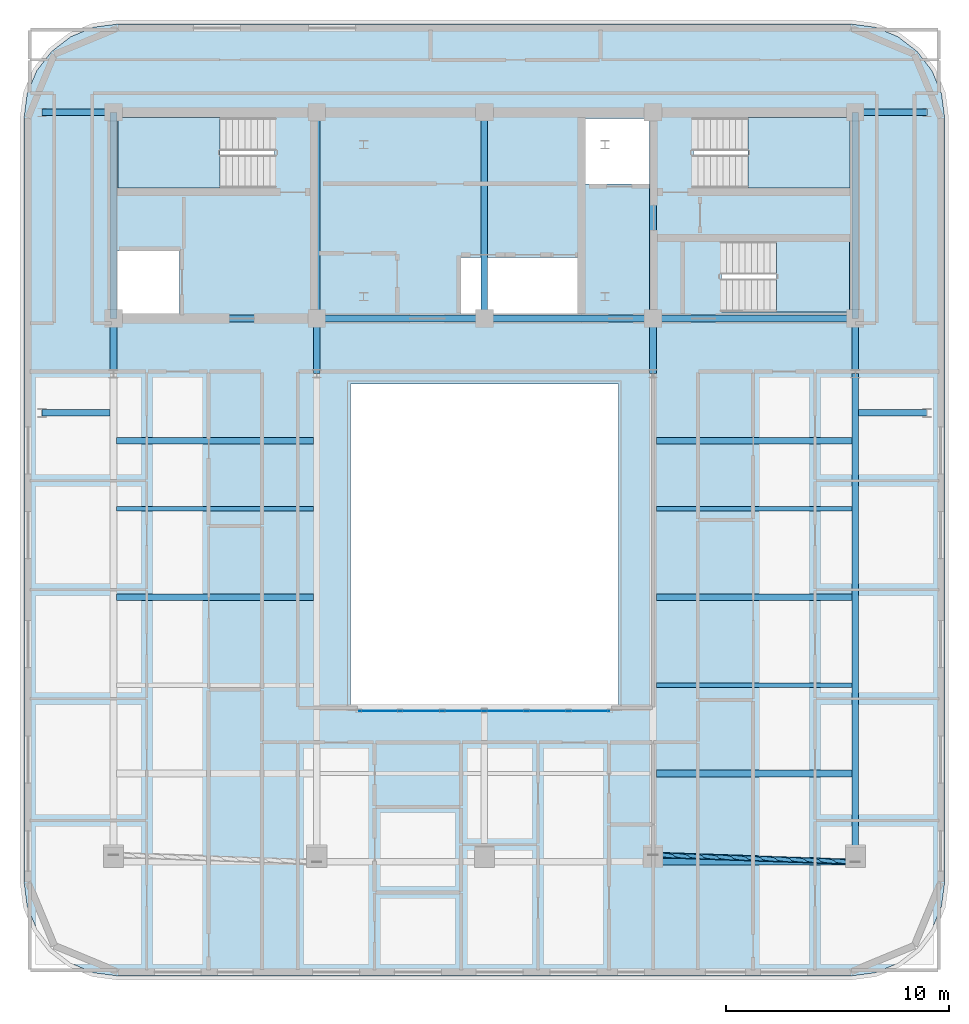
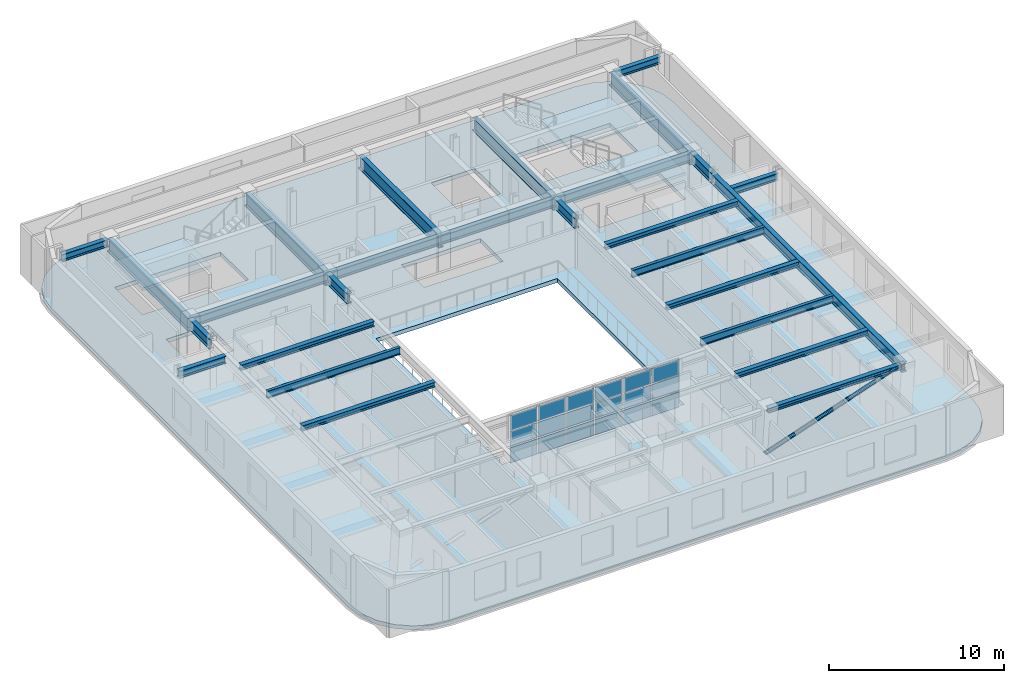
# One storey, part 4 of 13: 27 beams, 18 plates, 4 slabs, 1 member, 4 elements without a shape of their own.
"""IFC4 building model written with IfcOpenShell, lengths in metres."""

from ifc_helpers import new_model, si_unit, direction, frame, origin, origin_2d, place, context, subcontext, project, spatial, polyline, rectangle, hollow_circle, i_section, outline, extrude, material, layer, layer_set, material_profile, profile_set, type_object, element, aggregate, save


model = new_model("IFC4")

# Units and contexts
model_context = context("Model", 3, precision=1e-05, world=origin(), true_north=direction((0.0, 1.0)))
body_context = subcontext(model_context, "Body", "Model", "MODEL_VIEW")
ifc_project = project(units=[si_unit("LENGTHUNIT", "METRE"), si_unit("AREAUNIT", "SQUARE_METRE"), si_unit("VOLUMEUNIT", "CUBIC_METRE"), si_unit("PLANEANGLEUNIT", "RADIAN"), si_unit("MASSUNIT", "GRAM", prefix="KILO")], contexts=[model_context])

# Site, building, storey
site_placement = place(None, origin())
site = spatial("IfcSite", under=ifc_project, at=site_placement, CompositionType="ELEMENT")
building_placement = place(site_placement, origin())
building = spatial("IfcBuilding", under=site, at=building_placement, Name="Zarnavel Station Tower", CompositionType="ELEMENT")
storey_placement = place(building_placement, frame((0.0, 0.0, 247.300048828125)))
storey = spatial("IfcBuildingStorey", under=building, at=storey_placement, Name="L67", CompositionType="ELEMENT", Elevation=247.300048828125)

# Member
ifc_material_1 = material(Name="Steel S355J2", Category="steel")
ifc_material_profile_1 = material_profile(ifc_material_1, hollow_circle(Radius=0.122314453125, WallThickness=0.010009765625, at=origin_2d()), Name="CHS244.5x10")
ifc_profile_set_1 = profile_set([ifc_material_profile_1], Name="Steel S355J2")
member_type = type_object("IfcMemberType", Name="DB_EXT_CHS245", PredefinedType="BRACE", material=ifc_profile_set_1)
member_placement = place(storey_placement, frame((36.35009765625, 3.817626953125, 0.0), z_axis=(0.934954974808, -0.032007603945, 0.353319555603), x_axis=(0.034214336452, 0.999414518196, 0.0)))
element("IfcMember", 1, at=member_placement, inside=storey, type_object=member_type, Name="L67 Persian Exterior Diagonal Frame Brace 2", PredefinedType="BRACE", context=body_context, shape_type="SweptSolid", body=[
    extrude(hollow_circle(Radius=0.122314453125, WallThickness=0.010009765625, at=origin_2d()), origin(), (0.0, 0.0, 1.0), 9.679443359375),
])

# Beams
ifc_material_2 = material(Name="Steel S355J2", Category="steel")
ifc_material_profile_2 = material_profile(ifc_material_2, i_section(OverallWidth=0.300048828125, OverallDepth=0.320068359375, WebThickness=0.011474609375, FlangeThickness=0.0205078125, FilletRadius=0.027099609375, at=origin_2d()), Name="HEB320")
ifc_profile_set_2 = profile_set([ifc_material_profile_2], Name="Steel S355J2")
beam_type_1 = type_object("IfcBeamType", Name="EB_HEB320", PredefinedType="SPANDREL", material=ifc_profile_set_2)
beam_1_placement = place(storey_placement, frame((36.35009765625, 3.5078125, 3.260009765625), z_axis=(1.0, 0.0, 0.0), x_axis=(0.0, 1.0, 0.0)))
element("IfcBeam", 2, at=beam_1_placement, inside=storey, type_object=beam_type_1, Name="L67 South Raked Spandrel 4", PredefinedType="SPANDREL", context=body_context, shape_type="SweptSolid", body=[
    extrude(i_section(OverallWidth=0.300048828125, OverallDepth=0.320068359375, WebThickness=0.011474609375, FlangeThickness=0.0205078125, FilletRadius=0.027099609375, at=origin_2d()), origin(), (0.0, 0.0, 1.0), 9.0498046875),
])
ifc_material_3 = material(Name="Steel S355J2", Category="steel")
ifc_material_profile_3 = material_profile(ifc_material_3, i_section(OverallWidth=0.300048828125, OverallDepth=0.35009765625, WebThickness=0.010009765625, FlangeThickness=0.017578125, FilletRadius=0.027099609375, at=origin_2d()), Name="HEA360")
ifc_profile_set_3 = profile_set([ifc_material_profile_3], Name="Steel S355J2")
beam_type_2 = type_object("IfcBeamType", Name="FB_HEA360", PredefinedType="BEAM", material=ifc_profile_set_3)
beam_2_placement = place(storey_placement, frame((36.4951171875, 7.456298828125, 3.244873046875), z_axis=(1.0, 0.0, 0.0), x_axis=(0.0, 1.0, 0.0)))
element("IfcBeam", 3, at=beam_2_placement, inside=storey, type_object=beam_type_2, Name="L67 East Bay Beam 1", PredefinedType="BEAM", context=body_context, shape_type="SweptSolid", body=[
    extrude(i_section(OverallWidth=0.300048828125, OverallDepth=0.35009765625, WebThickness=0.010009765625, FlangeThickness=0.017578125, FilletRadius=0.027099609375, at=origin_2d()), origin(), (0.0, 0.0, 1.0), 8.759765625),
])
beam_3_placement = place(storey_placement, frame((12.344970703125, 15.353759765625, 3.244873046875), z_axis=(1.0, 0.0, 0.0), x_axis=(0.0, 1.0, 0.0)))
element("IfcBeam", 4, at=beam_3_placement, inside=storey, type_object=beam_type_2, Name="L67 West Bay Beam 3", PredefinedType="BEAM", context=body_context, shape_type="SweptSolid", body=[
    extrude(i_section(OverallWidth=0.300048828125, OverallDepth=0.35009765625, WebThickness=0.010009765625, FlangeThickness=0.017578125, FilletRadius=0.027099609375, at=origin_2d()), origin(), (0.0, 0.0, 1.0), 8.81005859375),
])
beam_4_placement = place(storey_placement, frame((36.4951171875, 15.353759765625, 3.244873046875), z_axis=(1.0, 0.0, 0.0), x_axis=(0.0, 1.0, 0.0)))
element("IfcBeam", 5, at=beam_4_placement, inside=storey, type_object=beam_type_2, Name="L67 East Bay Beam 3", PredefinedType="BEAM", context=body_context, shape_type="SweptSolid", body=[
    extrude(i_section(OverallWidth=0.300048828125, OverallDepth=0.35009765625, WebThickness=0.010009765625, FlangeThickness=0.017578125, FilletRadius=0.027099609375, at=origin_2d()), origin(), (0.0, 0.0, 1.0), 8.759765625),
])
beam_5_placement = place(storey_placement, frame((12.344970703125, 22.351318359375, 3.244873046875), z_axis=(1.0, 0.0, 0.0), x_axis=(0.0, 1.0, 0.0)))
element("IfcBeam", 6, at=beam_5_placement, inside=storey, type_object=beam_type_2, Name="L67 West Bay Beam 5", PredefinedType="BEAM", context=body_context, shape_type="SweptSolid", body=[
    extrude(i_section(OverallWidth=0.300048828125, OverallDepth=0.35009765625, WebThickness=0.010009765625, FlangeThickness=0.017578125, FilletRadius=0.027099609375, at=origin_2d()), origin(), (0.0, 0.0, 1.0), 8.81005859375),
])
beam_6_placement = place(storey_placement, frame((36.4951171875, 22.351318359375, 3.244873046875), z_axis=(1.0, 0.0, 0.0), x_axis=(0.0, 1.0, 0.0)))
element("IfcBeam", 7, at=beam_6_placement, inside=storey, type_object=beam_type_2, Name="L67 East Bay Beam 5", PredefinedType="BEAM", context=body_context, shape_type="SweptSolid", body=[
    extrude(i_section(OverallWidth=0.300048828125, OverallDepth=0.35009765625, WebThickness=0.010009765625, FlangeThickness=0.017578125, FilletRadius=0.027099609375, at=origin_2d()), origin(), (0.0, 0.0, 1.0), 8.759765625),
])
ifc_material_4 = material(Name="Steel S355J2", Category="steel")
ifc_material_profile_4 = material_profile(ifc_material_4, i_section(OverallWidth=0.199951171875, OverallDepth=0.5, WebThickness=0.01025390625, FlangeThickness=0.01611328125, FilletRadius=0.02099609375, at=origin_2d()), Name="IPE500")
ifc_profile_set_4 = profile_set([ifc_material_profile_4], Name="Steel S355J2")
beam_type_3 = type_object("IfcBeamType", Name="FB_IPE500", PredefinedType="BEAM", material=ifc_profile_set_4)
beam_7_placement = place(storey_placement, frame((36.4951171875, 11.405029296875, 3.169921875), z_axis=(1.0, 0.0, 0.0), x_axis=(0.0, 1.0, 0.0)))
element("IfcBeam", 8, at=beam_7_placement, inside=storey, type_object=beam_type_3, Name="L67 East Bay Beam 2", PredefinedType="BEAM", context=body_context, shape_type="SweptSolid", body=[
    extrude(i_section(OverallWidth=0.199951171875, OverallDepth=0.5, WebThickness=0.01025390625, FlangeThickness=0.01611328125, FilletRadius=0.02099609375, at=origin_2d()), origin(), (0.0, 0.0, 1.0), 8.759765625),
])
beam_8_placement = place(storey_placement, frame((12.344970703125, 19.302490234375, 3.169921875), z_axis=(1.0, 0.0, 0.0), x_axis=(0.0, 1.0, 0.0)))
element("IfcBeam", 9, at=beam_8_placement, inside=storey, type_object=beam_type_3, Name="L67 West Bay Beam 4", PredefinedType="BEAM", context=body_context, shape_type="SweptSolid", body=[
    extrude(i_section(OverallWidth=0.199951171875, OverallDepth=0.5, WebThickness=0.01025390625, FlangeThickness=0.01611328125, FilletRadius=0.02099609375, at=origin_2d()), origin(), (0.0, 0.0, 1.0), 8.81005859375),
])
beam_9_placement = place(storey_placement, frame((36.4951171875, 19.302490234375, 3.169921875), z_axis=(1.0, 0.0, 0.0), x_axis=(0.0, 1.0, 0.0)))
element("IfcBeam", 10, at=beam_9_placement, inside=storey, type_object=beam_type_3, Name="L67 East Bay Beam 4", PredefinedType="BEAM", context=body_context, shape_type="SweptSolid", body=[
    extrude(i_section(OverallWidth=0.199951171875, OverallDepth=0.5, WebThickness=0.01025390625, FlangeThickness=0.01611328125, FilletRadius=0.02099609375, at=origin_2d()), origin(), (0.0, 0.0, 1.0), 8.759765625),
])
ifc_material_5 = material(Name="Steel S355J2", Category="steel")
ifc_material_profile_5 = material_profile(ifc_material_5, i_section(OverallWidth=0.300048828125, OverallDepth=0.5, WebThickness=0.014404296875, FlangeThickness=0.028076171875, FilletRadius=0.027099609375, at=origin_2d()), Name="HEB500")
ifc_profile_set_5 = profile_set([ifc_material_profile_5], Name="Steel S355J2")
beam_type_4 = type_object("IfcBeamType", Name="FG_HEB500", PredefinedType="USERDEFINED", material=ifc_profile_set_5)
for number, where, z_axis, x_axis, name in (
    (11, (9.0, 23.60009765625, 3.169921875), (1.0, 0.0, 0.0), (0.0, 1.0, 0.0), "L67 West Wing South Tie 1"),
    (12, (9.0, 37.050048828125, 3.169921875), (1.0, 0.0, 0.0), (0.0, 1.0, 0.0), "L67 West Wing North Tie 1"),
):
    element("IfcBeam", number, at=place(storey_placement, frame(where, z_axis=z_axis, x_axis=x_axis)), inside=storey, type_object=beam_type_4, Name=name, ObjectType="GIRDER", PredefinedType="USERDEFINED", context=body_context, shape_type="SweptSolid", body=[
        extrude(i_section(OverallWidth=0.300048828125, OverallDepth=0.5, WebThickness=0.014404296875, FlangeThickness=0.028076171875, FilletRadius=0.027099609375, at=origin_2d()), origin(), (0.0, 0.0, 1.0), 3.054931640625),
    ])
for number, where, z_axis, x_axis, name in (
    (13, (45.544921875, 23.60009765625, 3.169921875), (1.0, 0.0, 0.0), (0.0, 1.0, 0.0), "L67 East Wing South Tie 1"),
    (14, (45.544921875, 37.050048828125, 3.169921875), (1.0, 0.0, 0.0), (0.0, 1.0, 0.0), "L67 East Wing North Tie 1"),
):
    element("IfcBeam", number, at=place(storey_placement, frame(where, z_axis=z_axis, x_axis=x_axis)), inside=storey, type_object=beam_type_4, Name=name, ObjectType="GIRDER", PredefinedType="USERDEFINED", context=body_context, shape_type="SweptSolid", body=[
        extrude(i_section(OverallWidth=0.300048828125, OverallDepth=0.5, WebThickness=0.014404296875, FlangeThickness=0.028076171875, FilletRadius=0.027099609375, at=origin_2d()), origin(), (0.0, 0.0, 1.0), 3.05517578125),
    ])
ifc_material_6 = material(Name="Steel S355J2", Category="steel")
ifc_material_profile_6 = material_profile(ifc_material_6, i_section(OverallWidth=0.300048828125, OverallDepth=0.60009765625, WebThickness=0.015380859375, FlangeThickness=0.030029296875, FilletRadius=0.027099609375, at=origin_2d()), Name="HEB600")
ifc_profile_set_6 = profile_set([ifc_material_profile_6], Name="Steel S355J2")
beam_type_5 = type_object("IfcBeamType", Name="FG_HEB600", PredefinedType="USERDEFINED", material=ifc_profile_set_6)
beam_10_placement = place(storey_placement, frame((12.199951171875, 27.820068359375, 3.119873046875), z_axis=(1.0, 0.0, 0.0), x_axis=(0.0, 1.0, 0.0)))
element("IfcBeam", 15, at=beam_10_placement, inside=storey, type_object=beam_type_5, Name="L67 Core Front Coupling Beam 1", ObjectType="GIRDER", PredefinedType="USERDEFINED", context=body_context, shape_type="SweptSolid", body=[
    extrude(i_section(OverallWidth=0.300048828125, OverallDepth=0.60009765625, WebThickness=0.015380859375, FlangeThickness=0.030029296875, FilletRadius=0.027099609375, at=origin_2d()), origin(), (0.0, 0.0, 1.0), 9.10009765625),
])
beam_11_placement = place(storey_placement, frame((21.300048828125, 27.820068359375, 3.119873046875), z_axis=(1.0, 0.0, 0.0), x_axis=(0.0, 1.0, 0.0)))
element("IfcBeam", 16, at=beam_11_placement, inside=storey, type_object=beam_type_5, Name="L67 Core Front Coupling Beam 2", ObjectType="GIRDER", PredefinedType="USERDEFINED", context=body_context, shape_type="SweptSolid", body=[
    extrude(i_section(OverallWidth=0.300048828125, OverallDepth=0.60009765625, WebThickness=0.015380859375, FlangeThickness=0.030029296875, FilletRadius=0.027099609375, at=origin_2d()), origin(), (0.0, 0.0, 1.0), 7.5),
])
beam_12_placement = place(storey_placement, frame((28.800048828125, 27.820068359375, 3.119873046875), z_axis=(1.0, 0.0, 0.0), x_axis=(0.0, 1.0, 0.0)))
element("IfcBeam", 17, at=beam_12_placement, inside=storey, type_object=beam_type_5, Name="L67 Core Front Coupling Beam 3", ObjectType="GIRDER", PredefinedType="USERDEFINED", context=body_context, shape_type="SweptSolid", body=[
    extrude(i_section(OverallWidth=0.300048828125, OverallDepth=0.60009765625, WebThickness=0.015380859375, FlangeThickness=0.030029296875, FilletRadius=0.027099609375, at=origin_2d()), origin(), (0.0, 0.0, 1.0), 7.550048828125),
])
beam_13_placement = place(storey_placement, frame((36.35009765625, 27.820068359375, 3.119873046875), z_axis=(1.0, 0.0, 0.0), x_axis=(0.0, 1.0, 0.0)))
element("IfcBeam", 18, at=beam_13_placement, inside=storey, type_object=beam_type_5, Name="L67 Core Front Coupling Beam 4", ObjectType="GIRDER", PredefinedType="USERDEFINED", context=body_context, shape_type="SweptSolid", body=[
    extrude(i_section(OverallWidth=0.300048828125, OverallDepth=0.60009765625, WebThickness=0.015380859375, FlangeThickness=0.030029296875, FilletRadius=0.027099609375, at=origin_2d()), origin(), (0.0, 0.0, 1.0), 9.0498046875),
])
ifc_material_7 = material(Name="Steel S355J2", Category="steel")
ifc_material_profile_7 = material_profile(ifc_material_7, i_section(OverallWidth=0.300048828125, OverallDepth=0.699951171875, WebThickness=0.01708984375, FlangeThickness=0.031982421875, FilletRadius=0.027099609375, at=origin_2d()), Name="HEB700")
ifc_profile_set_7 = profile_set([ifc_material_profile_7], Name="Steel S355J2")
beam_type_6 = type_object("IfcBeamType", Name="FG_HEB700", PredefinedType="USERDEFINED", material=ifc_profile_set_7)
for number, where, z_axis, x_axis, name in (
    (19, (12.199951171875, 25.35009765625, 3.070068359375), (0.0, 1.0, 0.0), (-1.0, 0.0, 0.0), "L67 Inner-Zone NS Girder 1"),
    (20, (21.300048828125, 25.35009765625, 3.070068359375), (0.0, 1.0, 0.0), (-1.0, 0.0, 0.0), "L67 Inner-Zone NS Girder 2"),
    (21, (36.35009765625, 25.35009765625, 3.070068359375), (0.0, 1.0, 0.0), (-1.0, 0.0, 0.0), "L67 Inner-Zone NS Girder 4"),
):
    element("IfcBeam", number, at=place(storey_placement, frame(where, z_axis=z_axis, x_axis=x_axis)), inside=storey, type_object=beam_type_6, Name=name, ObjectType="GIRDER", PredefinedType="USERDEFINED", context=body_context, shape_type="SweptSolid", body=[
        extrude(i_section(OverallWidth=0.300048828125, OverallDepth=0.699951171875, WebThickness=0.01708984375, FlangeThickness=0.031982421875, FilletRadius=0.027099609375, at=origin_2d()), origin(), (0.0, 0.0, 1.0), 2.469970703125),
    ])
beam_14_placement = place(storey_placement, frame((45.39990234375, 3.5078125, 3.070068359375), z_axis=(0.0, 1.0, 0.0), x_axis=(-1.0, 0.0, 0.0)))
element("IfcBeam", 22, at=beam_14_placement, inside=storey, type_object=beam_type_6, Name="L67 South-Zone NS Girder 5", ObjectType="GIRDER", PredefinedType="USERDEFINED", context=body_context, shape_type="SweptSolid", body=[
    extrude(i_section(OverallWidth=0.300048828125, OverallDepth=0.699951171875, WebThickness=0.01708984375, FlangeThickness=0.031982421875, FilletRadius=0.027099609375, at=origin_2d()), origin(), (0.0, 0.0, 1.0), 21.84228515625),
])
beam_15_placement = place(storey_placement, frame((45.39990234375, 25.35009765625, 3.070068359375), z_axis=(0.0, 1.0, 0.0), x_axis=(-1.0, 0.0, 0.0)))
element("IfcBeam", 23, at=beam_15_placement, inside=storey, type_object=beam_type_6, Name="L67 Inner-Zone NS Girder 5", ObjectType="GIRDER", PredefinedType="USERDEFINED", context=body_context, shape_type="SweptSolid", body=[
    extrude(i_section(OverallWidth=0.300048828125, OverallDepth=0.699951171875, WebThickness=0.01708984375, FlangeThickness=0.031982421875, FilletRadius=0.027099609375, at=origin_2d()), origin(), (0.0, 0.0, 1.0), 2.469970703125),
])
ifc_material_8 = material(Name="Steel S460M", Category="steel")
ifc_material_profile_8 = material_profile(ifc_material_8, i_section(OverallWidth=0.302001953125, OverallDepth=0.909912109375, WebThickness=0.02099609375, FlangeThickness=0.0400390625, FilletRadius=0.030029296875, at=origin_2d()), Name="HEM900")
ifc_profile_set_8 = profile_set([ifc_material_profile_8], Name="Steel S460M")
beam_type_7 = type_object("IfcBeamType", Name="TG_HEM900", PredefinedType="USERDEFINED", material=ifc_profile_set_8)
for number, where, z_axis, x_axis, name in (
    (24, (12.199951171875, 27.820068359375, 2.96484375), (0.0, 1.0, 0.0), (-1.0, 0.0, 0.0), "L67 Core Spine Coupling Girder 1"),
    (25, (21.300048828125, 27.820068359375, 2.96484375), (0.0, 1.0, 0.0), (-1.0, 0.0, 0.0), "L67 Core Spine Coupling Girder 2"),
    (26, (28.800048828125, 27.820068359375, 2.96484375), (0.0, 1.0, 0.0), (-1.0, 0.0, 0.0), "L67 Core Spine Coupling Girder 3"),
    (27, (36.35009765625, 27.820068359375, 2.96484375), (0.0, 1.0, 0.0), (-1.0, 0.0, 0.0), "L67 Core Spine Coupling Girder 4"),
    (28, (45.39990234375, 27.820068359375, 2.96484375), (0.0, 1.0, 0.0), (-1.0, 0.0, 0.0), "L67 Core Spine Coupling Girder 5"),
):
    element("IfcBeam", number, at=place(storey_placement, frame(where, z_axis=z_axis, x_axis=x_axis)), inside=storey, type_object=beam_type_7, Name=name, ObjectType="GIRDER", PredefinedType="USERDEFINED", context=body_context, shape_type="SweptSolid", body=[
        extrude(i_section(OverallWidth=0.302001953125, OverallDepth=0.909912109375, WebThickness=0.02099609375, FlangeThickness=0.0400390625, FilletRadius=0.030029296875, at=origin_2d()), origin(), (0.0, 0.0, 1.0), 9.22998046875),
    ])

# Curtain wall, plates
ifc_material_9 = material(Name="Aluminium Dark Anodised and Solar-Control Glass", Category="aluminium")
ifc_layer_1 = layer(ifc_material_9, 0.179931640625)
ifc_layer_set_1 = layer_set([ifc_layer_1], Name="CWS6")
curtain_wall_type = type_object("IfcCurtainWallType", Name="CWS6", PredefinedType="NOTDEFINED", material=ifc_layer_set_1)
curtain_wall_placement = place(storey_placement, origin())
curtain_wall = element("IfcCurtainWall", 29, at=curtain_wall_placement, inside=storey, type_object=curtain_wall_type, Name="L67 Curtain Wall CWS6-L67-AS", PredefinedType="NOTDEFINED")
ifc_material_10 = material(Name="Double Low-E Dark Solar-Control Glass", Category="glass")
ifc_layer_2 = layer(ifc_material_10, 0.0380859375)
ifc_layer_set_2 = layer_set([ifc_layer_2], Name="CWS6_PNL")
plate_type = type_object("IfcPlateType", Name="CWS6_PNL", PredefinedType="CURTAIN_PANEL", material=ifc_layer_set_2)
plate_1_placement = place(storey_placement, frame((24.106689453125, 10.25, 0.06005859375), z_axis=(0.0, 0.0, 1.0), x_axis=(1.0, 0.0, 0.0)))
plate_1 = element("IfcPlate", 30, at=plate_1_placement, type_object=plate_type, Name="CW6 panel 1.1", PredefinedType="CURTAIN_PANEL", context=body_context, shape_type="SweptSolid", body=[
    extrude(rectangle(XDim=1.793212890625, YDim=0.028076171875, at=origin_2d()), origin(), (0.0, 0.0, 1.0), 1.050048828125),
])
plate_2_placement = place(storey_placement, frame((24.106689453125, 10.25, 1.169921875), z_axis=(0.0, 0.0, 1.0), x_axis=(1.0, 0.0, 0.0)))
plate_2 = element("IfcPlate", 31, at=plate_2_placement, type_object=plate_type, Name="CW6 panel 1.2", PredefinedType="CURTAIN_PANEL", context=body_context, shape_type="SweptSolid", body=[
    extrude(rectangle(XDim=1.793212890625, YDim=0.028076171875, at=origin_2d()), origin(), (0.0, 0.0, 1.0), 1.080078125),
])
plate_3_placement = place(storey_placement, frame((24.106689453125, 10.25, 2.31005859375), z_axis=(0.0, 0.0, 1.0), x_axis=(1.0, 0.0, 0.0)))
plate_3 = element("IfcPlate", 32, at=plate_3_placement, type_object=plate_type, Name="CW6 panel 1.3", PredefinedType="CURTAIN_PANEL", context=body_context, shape_type="SweptSolid", body=[
    extrude(rectangle(XDim=1.793212890625, YDim=0.028076171875, at=origin_2d()), origin(), (0.0, 0.0, 1.0), 1.050048828125),
])
plate_4_placement = place(storey_placement, frame((25.97509765625, 10.25, 0.06005859375), z_axis=(0.0, 0.0, 1.0), x_axis=(1.0, 0.0, 0.0)))
plate_4 = element("IfcPlate", 33, at=plate_4_placement, type_object=plate_type, Name="CW6 panel 2.1", PredefinedType="CURTAIN_PANEL", context=body_context, shape_type="SweptSolid", body=[
    extrude(rectangle(XDim=1.8232421875, YDim=0.028076171875, at=origin_2d()), origin(), (0.0, 0.0, 1.0), 1.050048828125),
])
plate_5_placement = place(storey_placement, frame((25.97509765625, 10.25, 1.169921875), z_axis=(0.0, 0.0, 1.0), x_axis=(1.0, 0.0, 0.0)))
plate_5 = element("IfcPlate", 34, at=plate_5_placement, type_object=plate_type, Name="CW6 panel 2.2", PredefinedType="CURTAIN_PANEL", context=body_context, shape_type="SweptSolid", body=[
    extrude(rectangle(XDim=1.8232421875, YDim=0.028076171875, at=origin_2d()), origin(), (0.0, 0.0, 1.0), 1.080078125),
])
plate_6_placement = place(storey_placement, frame((25.97509765625, 10.25, 2.31005859375), z_axis=(0.0, 0.0, 1.0), x_axis=(1.0, 0.0, 0.0)))
plate_6 = element("IfcPlate", 35, at=plate_6_placement, type_object=plate_type, Name="CW6 panel 2.3", PredefinedType="CURTAIN_PANEL", context=body_context, shape_type="SweptSolid", body=[
    extrude(rectangle(XDim=1.8232421875, YDim=0.028076171875, at=origin_2d()), origin(), (0.0, 0.0, 1.0), 1.050048828125),
])
plate_7_placement = place(storey_placement, frame((27.8583984375, 10.25, 0.06005859375), z_axis=(0.0, 0.0, 1.0), x_axis=(1.0, 0.0, 0.0)))
plate_7 = element("IfcPlate", 36, at=plate_7_placement, type_object=plate_type, Name="CW6 panel 3.1", PredefinedType="CURTAIN_PANEL", context=body_context, shape_type="SweptSolid", body=[
    extrude(rectangle(XDim=1.8232421875, YDim=0.028076171875, at=origin_2d()), origin(), (0.0, 0.0, 1.0), 1.050048828125),
])
plate_8_placement = place(storey_placement, frame((27.8583984375, 10.25, 1.169921875), z_axis=(0.0, 0.0, 1.0), x_axis=(1.0, 0.0, 0.0)))
plate_8 = element("IfcPlate", 37, at=plate_8_placement, type_object=plate_type, Name="CW6 panel 3.2", PredefinedType="CURTAIN_PANEL", context=body_context, shape_type="SweptSolid", body=[
    extrude(rectangle(XDim=1.8232421875, YDim=0.028076171875, at=origin_2d()), origin(), (0.0, 0.0, 1.0), 1.080078125),
])
plate_9_placement = place(storey_placement, frame((27.8583984375, 10.25, 2.31005859375), z_axis=(0.0, 0.0, 1.0), x_axis=(1.0, 0.0, 0.0)))
plate_9 = element("IfcPlate", 38, at=plate_9_placement, type_object=plate_type, Name="CW6 panel 3.3", PredefinedType="CURTAIN_PANEL", context=body_context, shape_type="SweptSolid", body=[
    extrude(rectangle(XDim=1.8232421875, YDim=0.028076171875, at=origin_2d()), origin(), (0.0, 0.0, 1.0), 1.050048828125),
])
plate_10_placement = place(storey_placement, frame((29.74169921875, 10.25, 0.06005859375), z_axis=(0.0, 0.0, 1.0), x_axis=(1.0, 0.0, 0.0)))
plate_10 = element("IfcPlate", 39, at=plate_10_placement, type_object=plate_type, Name="CW6 panel 4.1", PredefinedType="CURTAIN_PANEL", context=body_context, shape_type="SweptSolid", body=[
    extrude(rectangle(XDim=1.8232421875, YDim=0.028076171875, at=origin_2d()), origin(), (0.0, 0.0, 1.0), 1.050048828125),
])
plate_11_placement = place(storey_placement, frame((29.74169921875, 10.25, 1.169921875), z_axis=(0.0, 0.0, 1.0), x_axis=(1.0, 0.0, 0.0)))
plate_11 = element("IfcPlate", 40, at=plate_11_placement, type_object=plate_type, Name="CW6 panel 4.2", PredefinedType="CURTAIN_PANEL", context=body_context, shape_type="SweptSolid", body=[
    extrude(rectangle(XDim=1.8232421875, YDim=0.028076171875, at=origin_2d()), origin(), (0.0, 0.0, 1.0), 1.080078125),
])
plate_12_placement = place(storey_placement, frame((29.74169921875, 10.25, 2.31005859375), z_axis=(0.0, 0.0, 1.0), x_axis=(1.0, 0.0, 0.0)))
plate_12 = element("IfcPlate", 41, at=plate_12_placement, type_object=plate_type, Name="CW6 panel 4.3", PredefinedType="CURTAIN_PANEL", context=body_context, shape_type="SweptSolid", body=[
    extrude(rectangle(XDim=1.8232421875, YDim=0.028076171875, at=origin_2d()), origin(), (0.0, 0.0, 1.0), 1.050048828125),
])
plate_13_placement = place(storey_placement, frame((31.625, 10.25, 0.06005859375), z_axis=(0.0, 0.0, 1.0), x_axis=(1.0, 0.0, 0.0)))
plate_13 = element("IfcPlate", 42, at=plate_13_placement, type_object=plate_type, Name="CW6 panel 5.1", PredefinedType="CURTAIN_PANEL", context=body_context, shape_type="SweptSolid", body=[
    extrude(rectangle(XDim=1.8232421875, YDim=0.028076171875, at=origin_2d()), origin(), (0.0, 0.0, 1.0), 1.050048828125),
])
plate_14_placement = place(storey_placement, frame((31.625, 10.25, 1.169921875), z_axis=(0.0, 0.0, 1.0), x_axis=(1.0, 0.0, 0.0)))
plate_14 = element("IfcPlate", 43, at=plate_14_placement, type_object=plate_type, Name="CW6 panel 5.2", PredefinedType="CURTAIN_PANEL", context=body_context, shape_type="SweptSolid", body=[
    extrude(rectangle(XDim=1.8232421875, YDim=0.028076171875, at=origin_2d()), origin(), (0.0, 0.0, 1.0), 1.080078125),
])
plate_15_placement = place(storey_placement, frame((31.625, 10.25, 2.31005859375), z_axis=(0.0, 0.0, 1.0), x_axis=(1.0, 0.0, 0.0)))
plate_15 = element("IfcPlate", 44, at=plate_15_placement, type_object=plate_type, Name="CW6 panel 5.3", PredefinedType="CURTAIN_PANEL", context=body_context, shape_type="SweptSolid", body=[
    extrude(rectangle(XDim=1.8232421875, YDim=0.028076171875, at=origin_2d()), origin(), (0.0, 0.0, 1.0), 1.050048828125),
])
plate_16_placement = place(storey_placement, frame((33.493408203125, 10.25, 0.06005859375), z_axis=(0.0, 0.0, 1.0), x_axis=(1.0, 0.0, 0.0)))
plate_16 = element("IfcPlate", 45, at=plate_16_placement, type_object=plate_type, Name="CW6 panel 6.1", PredefinedType="CURTAIN_PANEL", context=body_context, shape_type="SweptSolid", body=[
    extrude(rectangle(XDim=1.793212890625, YDim=0.028076171875, at=origin_2d()), origin(), (0.0, 0.0, 1.0), 1.050048828125),
])
plate_17_placement = place(storey_placement, frame((33.493408203125, 10.25, 1.169921875), z_axis=(0.0, 0.0, 1.0), x_axis=(1.0, 0.0, 0.0)))
plate_17 = element("IfcPlate", 46, at=plate_17_placement, type_object=plate_type, Name="CW6 panel 6.2", PredefinedType="CURTAIN_PANEL", context=body_context, shape_type="SweptSolid", body=[
    extrude(rectangle(XDim=1.793212890625, YDim=0.028076171875, at=origin_2d()), origin(), (0.0, 0.0, 1.0), 1.080078125),
])
plate_18_placement = place(storey_placement, frame((33.493408203125, 10.25, 2.31005859375), z_axis=(0.0, 0.0, 1.0), x_axis=(1.0, 0.0, 0.0)))
plate_18 = element("IfcPlate", 47, at=plate_18_placement, type_object=plate_type, Name="CW6 panel 6.3", PredefinedType="CURTAIN_PANEL", context=body_context, shape_type="SweptSolid", body=[
    extrude(rectangle(XDim=1.793212890625, YDim=0.028076171875, at=origin_2d()), origin(), (0.0, 0.0, 1.0), 1.050048828125),
])
aggregate(curtain_wall, [plate_1, plate_2, plate_3, plate_4, plate_5, plate_6, plate_7, plate_8, plate_9, plate_10, plate_11, plate_12, plate_13, plate_14, plate_15, plate_16, plate_17, plate_18])

# Slab
ifc_material_11 = material(Name="Concrete C45/55", Category="concrete")
ifc_layer_3 = layer(ifc_material_11, 0.280029296875)
ifc_layer_set_3 = layer_set([ifc_layer_3], Name="SL_FLR_280")
slab_type_1 = type_object("IfcSlabType", Name="SL_FLR_280", PredefinedType="FLOOR", material=ifc_layer_set_3)
slab_1_placement = place(storey_placement, frame((0.0, 0.0, -0.280029296875)))
element("IfcSlab", 48, at=slab_1_placement, inside=storey, type_object=slab_type_1, Name="L67 Structural Floor Slab", PredefinedType="FLOOR", context=body_context, shape_type="SweptSolid", body=[
    extrude(outline(polyline([(45.199951171875, -1.60009765625), (46.287109375, -1.456787109375), (47.300048828125, -1.037353515625), (48.169921875, -0.369873046875), (48.83740234375, 0.5), (49.2568359375, 1.512939453125), (49.39990234375, 2.60009765625), (49.39990234375, 36.800048828125), (49.2568359375, 37.886962890625), (48.83740234375, 38.89990234375), (48.169921875, 39.769775390625), (47.300048828125, 40.437255859375), (46.287109375, 40.85693359375), (45.199951171875, 41.0), (12.39990234375, 41.0), (11.31298828125, 40.85693359375), (10.300048828125, 40.437255859375), (9.43017578125, 39.769775390625), (8.7626953125, 38.89990234375), (8.343017578125, 37.886962890625), (8.199951171875, 36.800048828125), (8.199951171875, 2.60009765625), (8.343017578125, 1.512939453125), (8.7626953125, 0.5), (9.43017578125, -0.369873046875), (10.300048828125, -1.037353515625), (11.31298828125, -1.456787109375), (12.39990234375, -1.60009765625), (45.199951171875, -1.60009765625)]), holes=[polyline([(12.39990234375, 33.659912109375), (19.409912109375, 33.659912109375), (19.409912109375, 36.820068359375), (12.39990234375, 36.820068359375), (12.39990234375, 33.659912109375)]), polyline([(38.14990234375, 33.659912109375), (45.159912109375, 33.659912109375), (45.159912109375, 36.820068359375), (38.14990234375, 36.820068359375), (38.14990234375, 33.659912109375)]), polyline([(39.419921875, 28.1201171875), (45.14990234375, 28.1201171875), (45.14990234375, 31.280029296875), (39.419921875, 31.280029296875), (39.419921875, 28.1201171875)]), polyline([(12.35009765625, 27.949951171875), (15.14990234375, 27.949951171875), (15.14990234375, 30.85009765625), (12.35009765625, 30.85009765625), (12.35009765625, 27.949951171875)]), polyline([(33.320068359375, 33.85009765625), (36.2099609375, 33.85009765625), (36.2099609375, 36.780029296875), (33.320068359375, 36.780029296875), (33.320068359375, 33.85009765625)]), polyline([(27.75, 27.949951171875), (32.97998046875, 27.949951171875), (32.97998046875, 30.550048828125), (27.75, 30.550048828125), (27.75, 27.949951171875)]), polyline([(22.800048828125, 10.39990234375), (34.800048828125, 10.39990234375), (34.800048828125, 24.89990234375), (22.800048828125, 24.89990234375), (22.800048828125, 10.39990234375)])]), origin(), (0.0, 0.0, 1.0), 0.280029296875),
])

# Stair, slab
ifc_material_12 = material(Name="Concrete C45/55", Category="concrete")
stair_type = type_object("IfcStairType", Name="ST_CORE_150", PredefinedType="HALF_TURN_STAIR", material=ifc_material_12)
stair_1_placement = place(storey_placement, origin())
stair_1 = element("IfcStair", 49, at=stair_1_placement, inside=storey, type_object=stair_type, Name="L67 Core Exit Stair ST1", PredefinedType="HALF_TURN_STAIR")
ifc_material_13 = material(Name="Concrete C45/55", Category="concrete")
ifc_layer_4 = layer(ifc_material_13, 0.199951171875)
ifc_layer_set_4 = layer_set([ifc_layer_4], Name="SL_STAIR_LAND_200")
slab_type_2 = type_object("IfcSlabType", Name="SL_STAIR_LAND_200", PredefinedType="LANDING", material=ifc_layer_set_4)
slab_2_placement = place(storey_placement, frame((0.0, 0.0, 1.64990234375)))
slab_2 = element("IfcSlab", 50, at=slab_2_placement, type_object=slab_type_2, Name="ST1 landing 1", PredefinedType="LANDING", context=body_context, shape_type="SweptSolid", body=[
    extrude(outline(polyline([(16.9599609375, 36.820068359375), (12.39990234375, 36.820068359375), (12.39990234375, 33.659912109375), (16.9599609375, 33.659912109375), (16.9599609375, 36.820068359375)])), origin(), (0.0, 0.0, 1.0), 0.199951171875),
])
aggregate(stair_1, [slab_2])

stair_2_placement = place(storey_placement, origin())
stair_2 = element("IfcStair", 51, at=stair_2_placement, inside=storey, type_object=stair_type, Name="L67 Core Exit Stair ST2", PredefinedType="HALF_TURN_STAIR")
slab_3_placement = place(storey_placement, frame((0.0, 0.0, 1.64990234375)))
slab_3 = element("IfcSlab", 52, at=slab_3_placement, type_object=slab_type_2, Name="ST2 landing 1", PredefinedType="LANDING", context=body_context, shape_type="SweptSolid", body=[
    extrude(outline(polyline([(40.60009765625, 33.659912109375), (45.159912109375, 33.659912109375), (45.159912109375, 36.820068359375), (40.60009765625, 36.820068359375), (40.60009765625, 33.659912109375)])), origin(), (0.0, 0.0, 1.0), 0.199951171875),
])
aggregate(stair_2, [slab_3])

stair_3_placement = place(storey_placement, origin())
stair_3 = element("IfcStair", 53, at=stair_3_placement, inside=storey, type_object=stair_type, Name="L67 Core Exit Stair ST3", PredefinedType="HALF_TURN_STAIR")
slab_4_placement = place(storey_placement, frame((0.0, 0.0, 1.64990234375)))
slab_4 = element("IfcSlab", 54, at=slab_4_placement, type_object=slab_type_2, Name="ST3 landing 1", PredefinedType="LANDING", context=body_context, shape_type="SweptSolid", body=[
    extrude(outline(polyline([(41.8701171875, 28.1201171875), (45.14990234375, 28.1201171875), (45.14990234375, 31.280029296875), (41.8701171875, 31.280029296875), (41.8701171875, 28.1201171875)])), origin(), (0.0, 0.0, 1.0), 0.199951171875),
])
aggregate(stair_3, [slab_4])

save(model, "model.ifc")
